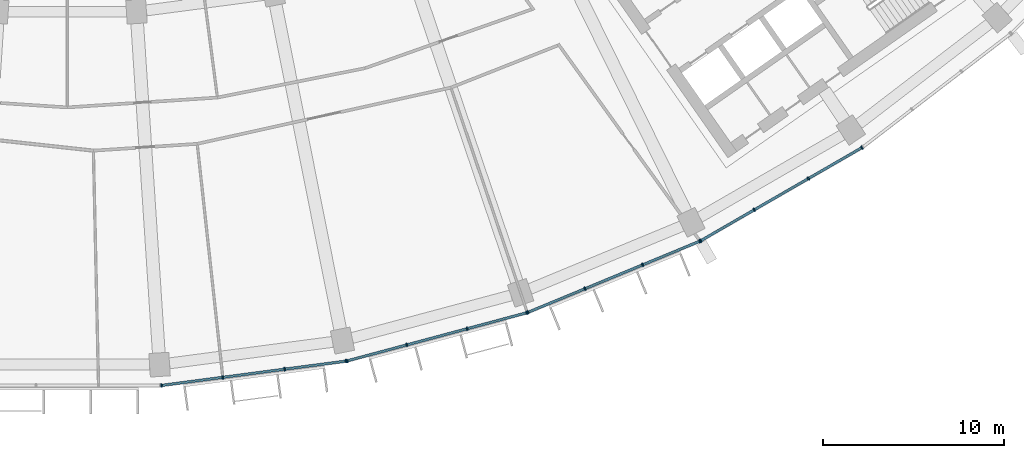
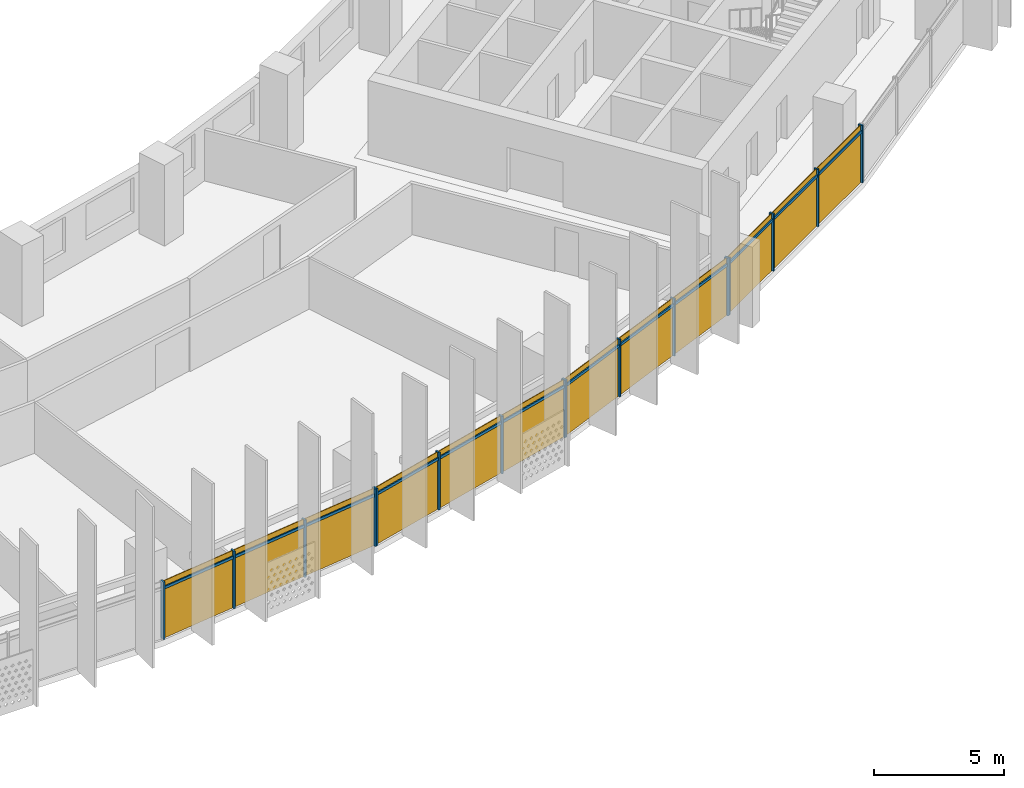
# One storey, part 19 of 26: 28 members, 4 curtain walls.
"""IFC4 building model written with IfcOpenShell, lengths in metres."""

from ifc_helpers import new_model, si_unit, direction, frame, origin, origin_2d, place, context, subcontext, project, spatial, rectangle, extrude, material, material_profile, profile_set, type_object, element, aggregate, save


model = new_model("IFC4")

# Units and contexts
model_context = context("Model", 3, precision=1e-05, world=origin(), true_north=direction((0.0, 1.0)))
body_context = subcontext(model_context, "Body", "Model", "MODEL_VIEW")
ifc_project = project(units=[si_unit("LENGTHUNIT", "METRE"), si_unit("AREAUNIT", "SQUARE_METRE"), si_unit("VOLUMEUNIT", "CUBIC_METRE"), si_unit("PLANEANGLEUNIT", "RADIAN"), si_unit("MASSUNIT", "GRAM", prefix="KILO")], contexts=[model_context])

# Member
ifc_material = material(Name="Aluminium 6063-T6 anodised", Category="aluminium")
ifc_material_profile_1 = material_profile(ifc_material, rectangle(XDim=0.199951171875, YDim=0.070068359375, at=origin_2d()))
ifc_profile_set_1 = profile_set([ifc_material_profile_1], Name="Aluminium 6063-T6 anodised")
member_type_1 = type_object("IfcMemberType", Name="Mullion 70 x 200 aluminium", PredefinedType="MULLION", material=ifc_profile_set_1)
site_placement = place(None, origin())
building_placement = place(site_placement, origin())
storey_placement = place(building_placement, frame((0.0, 0.0, 156.89990234375)))
member_1_placement = place(storey_placement, frame((5.1884765625, -78.72705078125, 0.0), z_axis=(0.0, 0.0, 1.0), x_axis=(-0.13052619222, 0.991444861374, 0.0)))
member_1 = element("IfcMember", 1, at=member_1_placement, type_object=member_type_1, Name="e-cw1-L36-out08/M00", PredefinedType="MULLION", context=body_context, shape_type="SweptSolid", body=[
    extrude(rectangle(XDim=0.199951171875, YDim=0.070068359375, at=origin_2d()), origin(), (0.0, 0.0, 1.0), 2.7001953125),
])

member_2_placement = place(storey_placement, frame((8.56884765625, -78.2822265625, 0.0), z_axis=(0.0, 0.0, 1.0), x_axis=(-0.13052619222, 0.991444861374, 0.0)))
member_2 = element("IfcMember", 2, at=member_2_placement, type_object=member_type_1, Name="e-cw1-L36-out08/M01", PredefinedType="MULLION", context=body_context, shape_type="SweptSolid", body=[
    extrude(rectangle(XDim=0.199951171875, YDim=0.070068359375, at=origin_2d()), origin(), (0.0, 0.0, 1.0), 2.7001953125),
])

member_3_placement = place(storey_placement, frame((11.98388671875, -77.83251953125, 0.0), z_axis=(0.0, 0.0, 1.0), x_axis=(-0.13052619222, 0.991444861374, 0.0)))
member_3 = element("IfcMember", 3, at=member_3_placement, type_object=member_type_1, Name="e-cw1-L36-out08/M02", PredefinedType="MULLION", context=body_context, shape_type="SweptSolid", body=[
    extrude(rectangle(XDim=0.199951171875, YDim=0.070068359375, at=origin_2d()), origin(), (0.0, 0.0, 1.0), 2.7001953125),
])

member_4_placement = place(storey_placement, frame((15.364501953125, -77.387451171875, 0.0), z_axis=(0.0, 0.0, 1.0), x_axis=(-0.13052619222, 0.991444861374, 0.0)))
member_4 = element("IfcMember", 4, at=member_4_placement, type_object=member_type_1, Name="e-cw1-L36-out08/M03", PredefinedType="MULLION", context=body_context, shape_type="SweptSolid", body=[
    extrude(rectangle(XDim=0.199951171875, YDim=0.070068359375, at=origin_2d()), origin(), (0.0, 0.0, 1.0), 2.7001953125),
])

member_5_placement = place(storey_placement, frame((15.420166015625, -77.37646484375, 0.0), z_axis=(0.0, 0.0, 1.0), x_axis=(-0.258819045103, 0.965925826289, 0.0)))
member_5 = element("IfcMember", 5, at=member_5_placement, type_object=member_type_1, Name="e-cw1-L36-out09/M00", PredefinedType="MULLION", context=body_context, shape_type="SweptSolid", body=[
    extrude(rectangle(XDim=0.199951171875, YDim=0.070068359375, at=origin_2d()), origin(), (0.0, 0.0, 1.0), 2.7001953125),
])

member_6_placement = place(storey_placement, frame((18.71337890625, -76.493896484375, 0.0), z_axis=(0.0, 0.0, 1.0), x_axis=(-0.258819045103, 0.965925826289, 0.0)))
member_6 = element("IfcMember", 6, at=member_6_placement, type_object=member_type_1, Name="e-cw1-L36-out09/M01", PredefinedType="MULLION", context=body_context, shape_type="SweptSolid", body=[
    extrude(rectangle(XDim=0.199951171875, YDim=0.070068359375, at=origin_2d()), origin(), (0.0, 0.0, 1.0), 2.7001953125),
])

member_7_placement = place(storey_placement, frame((22.04052734375, -75.602294921875, 0.0), z_axis=(0.0, 0.0, 1.0), x_axis=(-0.258819045103, 0.965925826289, 0.0)))
member_7 = element("IfcMember", 7, at=member_7_placement, type_object=member_type_1, Name="e-cw1-L36-out09/M02", PredefinedType="MULLION", context=body_context, shape_type="SweptSolid", body=[
    extrude(rectangle(XDim=0.199951171875, YDim=0.070068359375, at=origin_2d()), origin(), (0.0, 0.0, 1.0), 2.7001953125),
])

member_8_placement = place(storey_placement, frame((25.333984375, -74.719970703125, 0.0), z_axis=(0.0, 0.0, 1.0), x_axis=(-0.258819045103, 0.965925826289, 0.0)))
member_8 = element("IfcMember", 8, at=member_8_placement, type_object=member_type_1, Name="e-cw1-L36-out09/M03", PredefinedType="MULLION", context=body_context, shape_type="SweptSolid", body=[
    extrude(rectangle(XDim=0.199951171875, YDim=0.070068359375, at=origin_2d()), origin(), (0.0, 0.0, 1.0), 2.7001953125),
])

member_9_placement = place(storey_placement, frame((25.3876953125, -74.70166015625, 0.0), z_axis=(0.0, 0.0, 1.0), x_axis=(-0.382683432365, 0.923879532511, 0.0)))
member_9 = element("IfcMember", 9, at=member_9_placement, type_object=member_type_1, Name="e-cw1-L36-out10/M00", PredefinedType="MULLION", context=body_context, shape_type="SweptSolid", body=[
    extrude(rectangle(XDim=0.199951171875, YDim=0.070068359375, at=origin_2d()), origin(), (0.0, 0.0, 1.0), 2.7001953125),
])

member_10_placement = place(storey_placement, frame((28.537841796875, -73.39697265625, 0.0), z_axis=(0.0, 0.0, 1.0), x_axis=(-0.382683432365, 0.923879532511, 0.0)))
member_10 = element("IfcMember", 10, at=member_10_placement, type_object=member_type_1, Name="e-cw1-L36-out10/M01", PredefinedType="MULLION", context=body_context, shape_type="SweptSolid", body=[
    extrude(rectangle(XDim=0.199951171875, YDim=0.070068359375, at=origin_2d()), origin(), (0.0, 0.0, 1.0), 2.7001953125),
])

member_11_placement = place(storey_placement, frame((31.72021484375, -72.078857421875, 0.0), z_axis=(0.0, 0.0, 1.0), x_axis=(-0.382683432365, 0.923879532511, 0.0)))
member_11 = element("IfcMember", 11, at=member_11_placement, type_object=member_type_1, Name="e-cw1-L36-out10/M02", PredefinedType="MULLION", context=body_context, shape_type="SweptSolid", body=[
    extrude(rectangle(XDim=0.199951171875, YDim=0.070068359375, at=origin_2d()), origin(), (0.0, 0.0, 1.0), 2.7001953125),
])

member_12_placement = place(storey_placement, frame((34.8701171875, -70.77392578125, 0.0), z_axis=(0.0, 0.0, 1.0), x_axis=(-0.382683432365, 0.923879532511, 0.0)))
member_12 = element("IfcMember", 12, at=member_12_placement, type_object=member_type_1, Name="e-cw1-L36-out10/M03", PredefinedType="MULLION", context=body_context, shape_type="SweptSolid", body=[
    extrude(rectangle(XDim=0.199951171875, YDim=0.070068359375, at=origin_2d()), origin(), (0.0, 0.0, 1.0), 2.7001953125),
])

member_13_placement = place(storey_placement, frame((34.921142578125, -70.748779296875, 0.0), z_axis=(0.0, 0.0, 1.0), x_axis=(-0.5, 0.866025403784, 0.0)))
member_13 = element("IfcMember", 13, at=member_13_placement, type_object=member_type_1, Name="e-cw1-L36-out11/M00", PredefinedType="MULLION", context=body_context, shape_type="SweptSolid", body=[
    extrude(rectangle(XDim=0.199951171875, YDim=0.070068359375, at=origin_2d()), origin(), (0.0, 0.0, 1.0), 2.7001953125),
])

member_14_placement = place(storey_placement, frame((37.873779296875, -69.0439453125, 0.0), z_axis=(0.0, 0.0, 1.0), x_axis=(-0.5, 0.866025403784, 0.0)))
member_14 = element("IfcMember", 14, at=member_14_placement, type_object=member_type_1, Name="e-cw1-L36-out11/M01", PredefinedType="MULLION", context=body_context, shape_type="SweptSolid", body=[
    extrude(rectangle(XDim=0.199951171875, YDim=0.070068359375, at=origin_2d()), origin(), (0.0, 0.0, 1.0), 2.7001953125),
])

member_15_placement = place(storey_placement, frame((40.85693359375, -67.32177734375, 0.0), z_axis=(0.0, 0.0, 1.0), x_axis=(-0.5, 0.866025403784, 0.0)))
member_15 = element("IfcMember", 15, at=member_15_placement, type_object=member_type_1, Name="e-cw1-L36-out11/M02", PredefinedType="MULLION", context=body_context, shape_type="SweptSolid", body=[
    extrude(rectangle(XDim=0.199951171875, YDim=0.070068359375, at=origin_2d()), origin(), (0.0, 0.0, 1.0), 2.7001953125),
])

member_16_placement = place(storey_placement, frame((43.809814453125, -65.616943359375, 0.0), z_axis=(0.0, 0.0, 1.0), x_axis=(-0.5, 0.866025403784, 0.0)))
member_16 = element("IfcMember", 16, at=member_16_placement, type_object=member_type_1, Name="e-cw1-L36-out11/M03", PredefinedType="MULLION", context=body_context, shape_type="SweptSolid", body=[
    extrude(rectangle(XDim=0.199951171875, YDim=0.070068359375, at=origin_2d()), origin(), (0.0, 0.0, 1.0), 2.7001953125),
])

ifc_material_profile_2 = material_profile(ifc_material, rectangle(XDim=0.139892578125, YDim=0.1201171875, at=origin_2d()))
ifc_profile_set_2 = profile_set([ifc_material_profile_2], Name="Aluminium 6063-T6 anodised")
member_type_2 = type_object("IfcMemberType", Name="Transom 120 x 140 aluminium", PredefinedType="USERDEFINED", material=ifc_profile_set_2)
member_17_placement = place(storey_placement, frame((5.22314453125, -78.72265625, 2.400146484375), z_axis=(0.991439857731, 0.130564193033, 0.0), x_axis=(-0.130564193033, 0.991439857731, 0.0)))
member_17 = element("IfcMember", 17, at=member_17_placement, type_object=member_type_2, Name="e-cw1-L36-out08/T00", ObjectType="TRANSOM", PredefinedType="USERDEFINED", context=body_context, shape_type="SweptSolid", body=[
    extrude(rectangle(XDim=0.139892578125, YDim=0.1201171875, at=origin_2d()), origin(), (0.0, 0.0, 1.0), 3.339599609375),
])

member_18_placement = place(storey_placement, frame((8.603515625, -78.277587890625, 2.400146484375), z_axis=(0.991446413845, 0.130514399487, 0.0), x_axis=(-0.130514399487, 0.991446413845, 0.0)))
member_18 = element("IfcMember", 18, at=member_18_placement, type_object=member_type_2, Name="e-cw1-L36-out08/T01", ObjectType="TRANSOM", PredefinedType="USERDEFINED", context=body_context, shape_type="SweptSolid", body=[
    extrude(rectangle(XDim=0.139892578125, YDim=0.1201171875, at=origin_2d()), origin(), (0.0, 0.0, 1.0), 3.37451171875),
])

member_19_placement = place(storey_placement, frame((12.018798828125, -77.827880859375, 2.400146484375), z_axis=(0.991448073325, 0.130501792706, 0.0), x_axis=(-0.130501792706, 0.991448073325, 0.0)))
member_19 = element("IfcMember", 19, at=member_19_placement, type_object=member_type_2, Name="e-cw1-L36-out08/T02", ObjectType="TRANSOM", PredefinedType="USERDEFINED", context=body_context, shape_type="SweptSolid", body=[
    extrude(rectangle(XDim=0.139892578125, YDim=0.1201171875, at=origin_2d()), origin(), (0.0, 0.0, 1.0), 3.33935546875),
])

member_20_placement = place(storey_placement, frame((15.453857421875, -77.367431640625, 2.400146484375), z_axis=(0.96591509168, 0.258859103886, 0.0), x_axis=(-0.258859103886, 0.96591509168, 0.0)))
member_20 = element("IfcMember", 20, at=member_20_placement, type_object=member_type_2, Name="e-cw1-L36-out09/T00", ObjectType="TRANSOM", PredefinedType="USERDEFINED", context=body_context, shape_type="SweptSolid", body=[
    extrude(rectangle(XDim=0.139892578125, YDim=0.1201171875, at=origin_2d()), origin(), (0.0, 0.0, 1.0), 3.339599609375),
])

member_21_placement = place(storey_placement, frame((18.747314453125, -76.48486328125, 2.400146484375), z_axis=(0.965932873966, 0.258792741381, 0.0), x_axis=(-0.258792741381, 0.965932873966, 0.0)))
member_21 = element("IfcMember", 21, at=member_21_placement, type_object=member_type_2, Name="e-cw1-L36-out09/T01", ObjectType="TRANSOM", PredefinedType="USERDEFINED", context=body_context, shape_type="SweptSolid", body=[
    extrude(rectangle(XDim=0.139892578125, YDim=0.1201171875, at=origin_2d()), origin(), (0.0, 0.0, 1.0), 3.37451171875),
])

member_22_placement = place(storey_placement, frame((22.074462890625, -75.59326171875, 2.400146484375), z_axis=(0.965933368091, 0.258790897074, 0.0), x_axis=(-0.258790897074, 0.965933368091, 0.0)))
member_22 = element("IfcMember", 22, at=member_22_placement, type_object=member_type_2, Name="e-cw1-L36-out09/T02", ObjectType="TRANSOM", PredefinedType="USERDEFINED", context=body_context, shape_type="SweptSolid", body=[
    extrude(rectangle(XDim=0.139892578125, YDim=0.1201171875, at=origin_2d()), origin(), (0.0, 0.0, 1.0), 3.339599609375),
])

member_23_placement = place(storey_placement, frame((25.420166015625, -74.688232421875, 2.400146484375), z_axis=(0.923890305385, 0.382657423311, 0.0), x_axis=(-0.382657423311, 0.923890305385, 0.0)))
member_23 = element("IfcMember", 23, at=member_23_placement, type_object=member_type_2, Name="e-cw1-L36-out10/T00", ObjectType="TRANSOM", PredefinedType="USERDEFINED", context=body_context, shape_type="SweptSolid", body=[
    extrude(rectangle(XDim=0.139892578125, YDim=0.1201171875, at=origin_2d()), origin(), (0.0, 0.0, 1.0), 3.33935546875),
])

member_24_placement = place(storey_placement, frame((28.570068359375, -73.383544921875, 2.400146484375), z_axis=(0.923866926753, 0.382713863941, 0.0), x_axis=(-0.382713863941, 0.923866926753, 0.0)))
member_24 = element("IfcMember", 24, at=member_24_placement, type_object=member_type_2, Name="e-cw1-L36-out10/T01", ObjectType="TRANSOM", PredefinedType="USERDEFINED", context=body_context, shape_type="SweptSolid", body=[
    extrude(rectangle(XDim=0.139892578125, YDim=0.1201171875, at=origin_2d()), origin(), (0.0, 0.0, 1.0), 3.37451171875),
])

member_25_placement = place(storey_placement, frame((31.75244140625, -72.0654296875, 2.400146484375), z_axis=(0.923875164544, 0.382693977401, 0.0), x_axis=(-0.382693977401, 0.923875164544, 0.0)))
member_25 = element("IfcMember", 25, at=member_25_placement, type_object=member_type_2, Name="e-cw1-L36-out10/T02", ObjectType="TRANSOM", PredefinedType="USERDEFINED", context=body_context, shape_type="SweptSolid", body=[
    extrude(rectangle(XDim=0.139892578125, YDim=0.1201171875, at=origin_2d()), origin(), (0.0, 0.0, 1.0), 3.339599609375),
])

member_26_placement = place(storey_placement, frame((34.951416015625, -70.7314453125, 2.400146484375), z_axis=(0.866002968352, 0.500038857296, 0.0), x_axis=(-0.500038857296, 0.866002968352, 0.0)))
member_26 = element("IfcMember", 26, at=member_26_placement, type_object=member_type_2, Name="e-cw1-L36-out11/T00", ObjectType="TRANSOM", PredefinedType="USERDEFINED", context=body_context, shape_type="SweptSolid", body=[
    extrude(rectangle(XDim=0.139892578125, YDim=0.1201171875, at=origin_2d()), origin(), (0.0, 0.0, 1.0), 3.339599609375),
])

member_27_placement = place(storey_placement, frame((37.904296875, -69.026611328125, 2.400146484375), z_axis=(0.86602172966, 0.500006363716, 0.0), x_axis=(-0.500006363716, 0.86602172966, 0.0)))
member_27 = element("IfcMember", 27, at=member_27_placement, type_object=member_type_2, Name="e-cw1-L36-out11/T01", ObjectType="TRANSOM", PredefinedType="USERDEFINED", context=body_context, shape_type="SweptSolid", body=[
    extrude(rectangle(XDim=0.139892578125, YDim=0.1201171875, at=origin_2d()), origin(), (0.0, 0.0, 1.0), 3.37451171875),
])

member_28_placement = place(storey_placement, frame((40.88720703125, -67.30419921875, 2.400146484375), z_axis=(0.866052898888, 0.49995237406, 0.0), x_axis=(-0.49995237406, 0.866052898888, 0.0)))
member_28 = element("IfcMember", 28, at=member_28_placement, type_object=member_type_2, Name="e-cw1-L36-out11/T02", ObjectType="TRANSOM", PredefinedType="USERDEFINED", context=body_context, shape_type="SweptSolid", body=[
    extrude(rectangle(XDim=0.139892578125, YDim=0.1201171875, at=origin_2d()), origin(), (0.0, 0.0, 1.0), 3.339599609375),
])

# Site, building, storey
site = spatial("IfcSite", under=ifc_project, at=site_placement, CompositionType="ELEMENT")
building = spatial("IfcBuilding", under=site, at=building_placement, Name="Qamariyya Broadcast Tower", CompositionType="ELEMENT")
storey = spatial("IfcBuildingStorey", under=building, at=storey_placement, Name="L36", CompositionType="ELEMENT", Elevation=156.89990234375)

# Curtain wall
curtain_wall_type = type_object("IfcCurtainWallType", Name="Unitised curtain wall, anodised aluminium", PredefinedType="NOTDEFINED", material=ifc_material)
curtain_wall_1_placement = place(storey_placement, origin())
curtain_wall_1 = element("IfcCurtainWall", 29, at=curtain_wall_1_placement, inside=storey, type_object=curtain_wall_type, Name="e-cw1-L36-out08", PredefinedType="NOTDEFINED", context=body_context, shape_type="SweptSolid", body=[
    extrude(rectangle(XDim=3.339599609375, YDim=0.031982421875, at=origin_2d()), frame((6.878662109375, -78.504638671875, 0.0), x_axis=(0.991444240905, 0.130530905064, 0.0)), (0.0, 0.0, 1.0), 2.340087890625),
    extrude(rectangle(XDim=3.339599609375, YDim=0.031982421875, at=origin_2d()), frame((6.878662109375, -78.504638671875, 2.460205078125), x_axis=(0.991444240905, 0.130530905064, 0.0)), (0.0, 0.0, 1.0), 0.239990234375),
    extrude(rectangle(XDim=3.37451171875, YDim=0.031982421875, at=origin_2d()), frame((10.2763671875, -78.05712890625, 0.0), x_axis=(0.991444240905, 0.130530905064, 0.0)), (0.0, 0.0, 1.0), 2.340087890625),
    extrude(rectangle(XDim=3.37451171875, YDim=0.031982421875, at=origin_2d()), frame((10.2763671875, -78.05712890625, 2.460205078125), x_axis=(0.991444240905, 0.130530905064, 0.0)), (0.0, 0.0, 1.0), 0.239990234375),
    extrude(rectangle(XDim=3.339599609375, YDim=0.031982421875, at=origin_2d()), frame((13.67431640625, -77.60986328125, 0.0), x_axis=(0.991444240905, 0.130530905064, 0.0)), (0.0, 0.0, 1.0), 2.340087890625),
    extrude(rectangle(XDim=3.339599609375, YDim=0.031982421875, at=origin_2d()), frame((13.67431640625, -77.60986328125, 2.460205078125), x_axis=(0.991444240905, 0.130530905064, 0.0)), (0.0, 0.0, 1.0), 0.239990234375),
])

aggregate(curtain_wall_1, [member_1, member_2, member_3, member_4, member_17, member_18, member_19])

curtain_wall_2_placement = place(storey_placement, origin())
curtain_wall_2 = element("IfcCurtainWall", 30, at=curtain_wall_2_placement, inside=storey, type_object=curtain_wall_type, Name="e-cw1-L36-out09", PredefinedType="NOTDEFINED", context=body_context, shape_type="SweptSolid", body=[
    extrude(rectangle(XDim=3.339599609375, YDim=0.031982421875, at=origin_2d()), frame((17.066650390625, -76.935302734375, 0.0), x_axis=(0.965926433062, 0.258816780584, 0.0)), (0.0, 0.0, 1.0), 2.340087890625),
    extrude(rectangle(XDim=3.339599609375, YDim=0.031982421875, at=origin_2d()), frame((17.066650390625, -76.935302734375, 2.460205078125), x_axis=(0.965926433062, 0.258816780584, 0.0)), (0.0, 0.0, 1.0), 0.239990234375),
    extrude(rectangle(XDim=3.37451171875, YDim=0.031982421875, at=origin_2d()), frame((20.376953125, -76.04833984375, 0.0), x_axis=(0.965926433062, 0.258816780584, 0.0)), (0.0, 0.0, 1.0), 2.340087890625),
    extrude(rectangle(XDim=3.37451171875, YDim=0.031982421875, at=origin_2d()), frame((20.376953125, -76.04833984375, 2.460205078125), x_axis=(0.965926433062, 0.258816780584, 0.0)), (0.0, 0.0, 1.0), 0.239990234375),
    extrude(rectangle(XDim=3.339599609375, YDim=0.031982421875, at=origin_2d()), frame((23.6875, -75.1611328125, 0.0), x_axis=(0.965926433062, 0.258816780584, 0.0)), (0.0, 0.0, 1.0), 2.340087890625),
    extrude(rectangle(XDim=3.339599609375, YDim=0.031982421875, at=origin_2d()), frame((23.6875, -75.1611328125, 2.460205078125), x_axis=(0.965926433062, 0.258816780584, 0.0)), (0.0, 0.0, 1.0), 0.239990234375),
])

aggregate(curtain_wall_2, [member_5, member_6, member_7, member_8, member_20, member_21, member_22])

curtain_wall_3_placement = place(storey_placement, origin())
curtain_wall_3 = element("IfcCurtainWall", 31, at=curtain_wall_3_placement, inside=storey, type_object=curtain_wall_type, Name="e-cw1-L36-out10", PredefinedType="NOTDEFINED", context=body_context, shape_type="SweptSolid", body=[
    extrude(rectangle(XDim=3.339599609375, YDim=0.031982421875, at=origin_2d()), frame((26.962890625, -74.04931640625, 0.0), x_axis=(0.923878040314, 0.382687034829, 0.0)), (0.0, 0.0, 1.0), 2.340087890625),
    extrude(rectangle(XDim=3.339599609375, YDim=0.031982421875, at=origin_2d()), frame((26.962890625, -74.04931640625, 2.460205078125), x_axis=(0.923878040314, 0.382687034829, 0.0)), (0.0, 0.0, 1.0), 0.239990234375),
    extrude(rectangle(XDim=3.37451171875, YDim=0.031982421875, at=origin_2d()), frame((30.12890625, -72.73779296875, 0.0), x_axis=(0.923878040314, 0.382687034829, 0.0)), (0.0, 0.0, 1.0), 2.340087890625),
    extrude(rectangle(XDim=3.37451171875, YDim=0.031982421875, at=origin_2d()), frame((30.12890625, -72.73779296875, 2.460205078125), x_axis=(0.923878040314, 0.382687034829, 0.0)), (0.0, 0.0, 1.0), 0.239990234375),
    extrude(rectangle(XDim=3.339599609375, YDim=0.031982421875, at=origin_2d()), frame((33.295166015625, -71.42626953125, 0.0), x_axis=(0.923878040314, 0.382687034829, 0.0)), (0.0, 0.0, 1.0), 2.340087890625),
    extrude(rectangle(XDim=3.339599609375, YDim=0.031982421875, at=origin_2d()), frame((33.295166015625, -71.42626953125, 2.460205078125), x_axis=(0.923878040314, 0.382687034829, 0.0)), (0.0, 0.0, 1.0), 0.239990234375),
])

aggregate(curtain_wall_3, [member_9, member_10, member_11, member_12, member_23, member_24, member_25])

curtain_wall_4_placement = place(storey_placement, origin())
curtain_wall_4 = element("IfcCurtainWall", 32, at=curtain_wall_4_placement, inside=storey, type_object=curtain_wall_type, Name="e-cw1-L36-out11", PredefinedType="NOTDEFINED", context=body_context, shape_type="SweptSolid", body=[
    extrude(rectangle(XDim=3.339599609375, YDim=0.031982421875, at=origin_2d()), frame((36.3974609375, -69.896484375, 0.0), x_axis=(0.866028999376, 0.499993772201, 0.0)), (0.0, 0.0, 1.0), 2.340087890625),
    extrude(rectangle(XDim=3.339599609375, YDim=0.031982421875, at=origin_2d()), frame((36.3974609375, -69.896484375, 2.460205078125), x_axis=(0.866028999376, 0.499993772201, 0.0)), (0.0, 0.0, 1.0), 0.239990234375),
    extrude(rectangle(XDim=3.37451171875, YDim=0.031982421875, at=origin_2d()), frame((39.365478515625, -68.18310546875, 0.0), x_axis=(0.866028999376, 0.499993772201, 0.0)), (0.0, 0.0, 1.0), 2.340087890625),
    extrude(rectangle(XDim=3.37451171875, YDim=0.031982421875, at=origin_2d()), frame((39.365478515625, -68.18310546875, 2.460205078125), x_axis=(0.866028999376, 0.499993772201, 0.0)), (0.0, 0.0, 1.0), 0.239990234375),
    extrude(rectangle(XDim=3.339599609375, YDim=0.031982421875, at=origin_2d()), frame((42.33349609375, -66.469482421875, 0.0), x_axis=(0.866028999376, 0.499993772201, 0.0)), (0.0, 0.0, 1.0), 2.340087890625),
    extrude(rectangle(XDim=3.339599609375, YDim=0.031982421875, at=origin_2d()), frame((42.33349609375, -66.469482421875, 2.460205078125), x_axis=(0.866028999376, 0.499993772201, 0.0)), (0.0, 0.0, 1.0), 0.239990234375),
])

aggregate(curtain_wall_4, [member_13, member_14, member_15, member_16, member_26, member_27, member_28])

save(model, "model.ifc")
